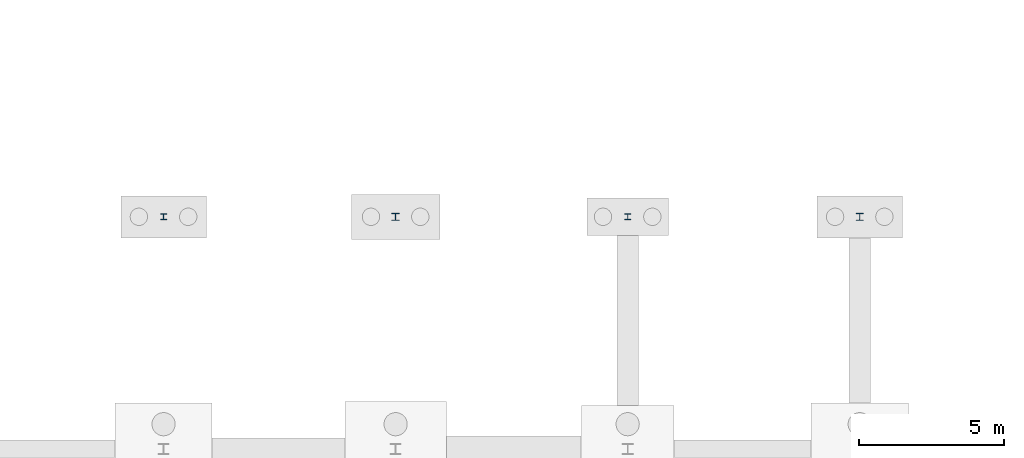
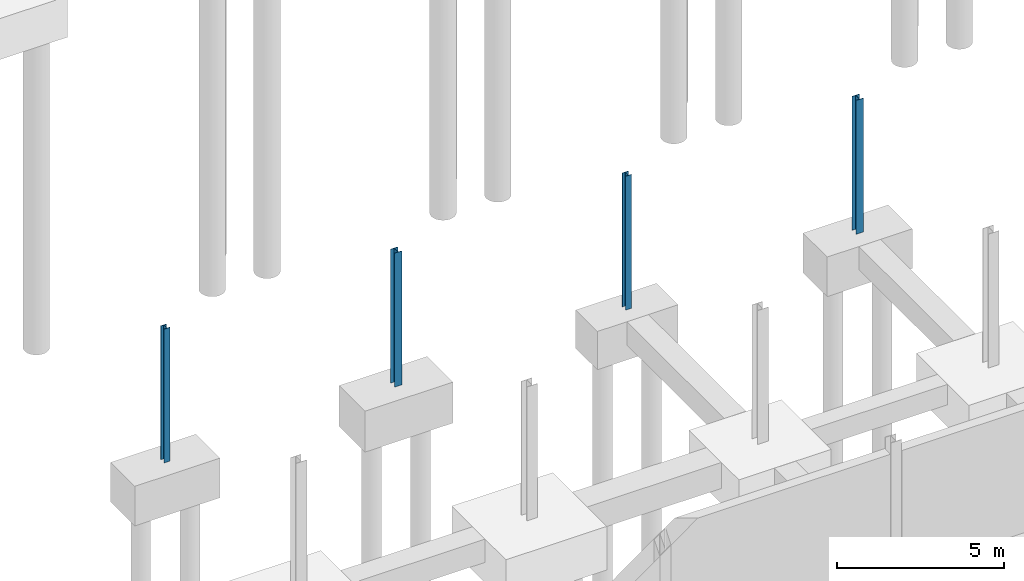
# One storey, part 31 of 51: 4 columns.
"""IFC4 building model written with IfcOpenShell, lengths in metres."""

import ifcopenshell
import ifcopenshell.guid

model = None  # the IFC model being written
_history = None  # IfcOwnerHistory: only IFC2X3 demands one
_inside = {}  # id of a spatial element -> (the spatial element, [elements in it])
_under = {}  # id of a project, library or spatial element -> (it, [spatial elements below it])
_declared = {}  # id of a project -> (the project, [libraries it declares])
_typed = {}  # id of a type object -> (the type object, [elements of that type])
_made_of = {}  # id of a material, layer set ... -> (it, [elements and type objects made of it])


def new_model(schema):
    """Start an empty IFC model of exactly this schema.

    Asked for "IFC4X3", IfcOpenShell would pick the latest addendum, in which some entities
    have other attributes; the version numbers below select the first issue.
    IFC2X3 requires an IfcOwnerHistory on every rooted entity: one is made here for all.
    """
    global model, _history
    if schema == "IFC4X3":
        model = ifcopenshell.file(schema_version=(4, 3, 0, 0))
    else:
        model = ifcopenshell.file(schema=schema)
    _inside.clear()
    _under.clear()
    _declared.clear()
    _typed.clear()
    _made_of.clear()
    _history = None
    if model.schema == "IFC2X3":
        org = make("IfcOrganization", Name="unknown")
        user = make(
            "IfcPersonAndOrganization",
            ThePerson=make("IfcPerson", FamilyName="unknown"),
            TheOrganization=org,
        )
        app = make(
            "IfcApplication",
            ApplicationDeveloper=org,
            Version="unknown",
            ApplicationFullName="unknown",
            ApplicationIdentifier="unknown",
        )
        _history = make(
            "IfcOwnerHistory",
            OwningUser=user,
            OwningApplication=app,
            ChangeAction="ADDED",
            CreationDate=0,
        )
    return model


def make(cls, **values):
    """One entity of the class cls with the attributes given. An attribute that is None is left unset."""
    return model.create_entity(
        cls, **{name: value for name, value in values.items() if value is not None}
    )


def rooted(cls, **values):
    """An entity with a GlobalId (a new one), such as an element, a storey or a relation."""
    return make(cls, GlobalId=ifcopenshell.guid.new(), OwnerHistory=_history, **values)


def si_unit(unit_type, name, prefix=None):
    """IfcSIUnit, for example si_unit("LENGTHUNIT", "METRE", prefix="MILLI")."""
    return make("IfcSIUnit", UnitType=unit_type, Prefix=prefix, Name=name)


def assignment(units):
    """IfcUnitAssignment: the units of a project."""
    return None if units is None else make("IfcUnitAssignment", Units=units)


def point(xyz):
    """IfcCartesianPoint."""
    return None if xyz is None else make("IfcCartesianPoint", Coordinates=xyz)


def direction(xyz):
    """IfcDirection."""
    return None if xyz is None else make("IfcDirection", DirectionRatios=xyz)


def frame(location, z_axis=None, x_axis=None):
    """IfcAxis2Placement3D, a coordinate frame: its origin and axes. An axis left out is left unset."""
    return make(
        "IfcAxis2Placement3D",
        Location=point(location),
        Axis=direction(z_axis),
        RefDirection=direction(x_axis),
    )


def frame_2d(location, x_axis=None):
    """IfcAxis2Placement2D, a coordinate frame in the plane: its origin and x axis."""
    return make(
        "IfcAxis2Placement2D", Location=point(location), RefDirection=direction(x_axis)
    )


def origin():
    """The frame at (0, 0, 0) with its axes left unset."""
    return frame((0.0, 0.0, 0.0))


def origin_2d():
    """The frame at (0, 0) in the plane with its x axis left unset."""
    return frame_2d((0.0, 0.0))


def place(relative_to, where):
    """IfcLocalPlacement: puts the frame where relative to a parent placement (None: the world)."""
    return make(
        "IfcLocalPlacement", PlacementRelTo=relative_to, RelativePlacement=where
    )


def context(
    kind, dimensions, precision=None, world=None, true_north=None, identifier=None
):
    """IfcGeometricRepresentationContext, for example the 3D "Model" context."""
    return make(
        "IfcGeometricRepresentationContext",
        ContextIdentifier=identifier,
        ContextType=kind,
        CoordinateSpaceDimension=dimensions,
        Precision=precision,
        WorldCoordinateSystem=world,
        TrueNorth=true_north,
    )


def subcontext(parent, identifier, kind, view, scale=None):
    """IfcGeometricRepresentationSubContext, for example "Body" below "Model"."""
    return make(
        "IfcGeometricRepresentationSubContext",
        ContextIdentifier=identifier,
        ContextType=kind,
        ParentContext=parent,
        TargetScale=scale,
        TargetView=view,
    )


def project(units=None, contexts=None):
    """IfcProject with its units and contexts."""
    return rooted(
        "IfcProject",
        Name="project",
        RepresentationContexts=contexts,
        UnitsInContext=assignment(units),
    )


def spatial(cls, under=None, at=None, **own):
    """A site, building, storey or space (cls), placed at a placement, below another one or the project."""
    s = rooted(cls, ObjectPlacement=at, **own)
    if under is not None:
        _under.setdefault(under.id(), (under, []))[1].append(s)
    return s


def profile(cls, at=None, kind="AREA", **sizes):
    """A parametric profile (cls). Its sizes go by their IFC names, for example OverallWidth=200.0."""
    return make(cls, ProfileType=kind, Position=at, **sizes)


def i_section(**sizes):
    """IfcIShapeProfileDef."""
    return profile("IfcIShapeProfileDef", **sizes)


def extrude(swept, where, along, depth):
    """IfcExtrudedAreaSolid: the profile swept, set in the frame where, extruded along a direction by depth."""
    return make(
        "IfcExtrudedAreaSolid",
        SweptArea=swept,
        Position=where,
        ExtrudedDirection=direction(along),
        Depth=depth,
    )


def shape(context_of_items, identifier, shape_type, items):
    """IfcShapeRepresentation: the items that make up one representation, for example the "Body"."""
    return make(
        "IfcShapeRepresentation",
        ContextOfItems=context_of_items,
        RepresentationIdentifier=identifier,
        RepresentationType=shape_type,
        Items=items,
    )


def material(Name=None, Category=None):
    """IfcMaterial."""
    return make("IfcMaterial", Name=Name, Category=Category)


def material_profile(
    of_material, cross_section, Name=None, Category=None, Priority=None
):
    """IfcMaterialProfile: a cross section and its material."""
    return make(
        "IfcMaterialProfile",
        Name=Name,
        Material=of_material,
        Profile=cross_section,
        Priority=Priority,
        Category=Category,
    )


def profile_set(profiles, Name=None, composite=None):
    """IfcMaterialProfileSet."""
    return make(
        "IfcMaterialProfileSet",
        Name=Name,
        MaterialProfiles=profiles,
        CompositeProfile=composite,
    )


def made_of(thing, what):
    """Note that an element or type object is made of a material, layer set ...; save() writes the relation."""
    if what is not None:
        _made_of.setdefault(what.id(), (what, []))[1].append(thing)
    return thing


def type_object(cls, material=None, **own):
    """A type object (cls), such as IfcWallType, which elements share."""
    return made_of(rooted(cls, **own), material)


def element(
    cls,
    number,
    at=None,
    inside=None,
    cuts=None,
    type_object=None,
    material=None,
    context=None,
    identifier="Body",
    shape_type=None,
    held_by="IfcProductDefinitionShape",
    body=None,
    shapes=None,
    **own,
):
    """One element of the class cls, such as IfcWall. Its Tag is "e" and its number.

    at: its placement. inside: the storey or other place that contains it. cuts: it is an
    opening in that element (IfcRelVoidsElement). A single representation is given by context,
    identifier, shape_type and body (its items); several are given by shapes. held_by: the class
    of the entity that holds the representations. save() writes the other relations.
    """
    e = rooted(cls, Tag="e%d" % number, ObjectPlacement=at, **own)
    if body is not None:
        shapes = [shape(context, identifier, shape_type, body)]
    if shapes is not None:
        e.Representation = make(held_by, Representations=shapes)
    if inside is not None:
        _inside.setdefault(inside.id(), (inside, []))[1].append(e)
    if cuts is not None:
        rooted(
            "IfcRelVoidsElement", RelatingBuildingElement=cuts, RelatedOpeningElement=e
        )
    if type_object is not None:
        _typed.setdefault(type_object.id(), (type_object, []))[1].append(e)
    return made_of(e, material)


def aggregate(whole, parts):
    """IfcRelAggregates: a whole, such as a stair, and the parts it consists of."""
    return rooted("IfcRelAggregates", RelatingObject=whole, RelatedObjects=parts)


def save(model, path):
    """Write the relations noted so far, then the file.

    IfcRelAggregates (storeys below a building ...), IfcRelContainedInSpatialStructure (elements
    in a storey), IfcRelDefinesByType, IfcRelAssociatesMaterial and IfcRelDeclares: one each for
    every whole, place, type object, material and project.
    """
    for whole, parts in _under.values():
        aggregate(whole, parts)
    for where, things in _inside.values():
        rooted(
            "IfcRelContainedInSpatialStructure",
            RelatedElements=things,
            RelatingStructure=where,
        )
    for kind, things in _typed.values():
        rooted("IfcRelDefinesByType", RelatedObjects=things, RelatingType=kind)
    for what, things in _made_of.values():
        rooted("IfcRelAssociatesMaterial", RelatedObjects=things, RelatingMaterial=what)
    for by, libraries in _declared.values():
        rooted("IfcRelDeclares", RelatingContext=by, RelatedDefinitions=libraries)
    model.write(path)


model = new_model("IFC4")

# Units and contexts
model_context = context("Model", 3, precision=1e-05, world=origin(), true_north=direction((0.0, 1.0)))
body_context = subcontext(model_context, "Body", "Model", "MODEL_VIEW")
ifc_project = project(units=[si_unit("LENGTHUNIT", "METRE"), si_unit("AREAUNIT", "SQUARE_METRE"), si_unit("VOLUMEUNIT", "CUBIC_METRE"), si_unit("PLANEANGLEUNIT", "RADIAN"), si_unit("MASSUNIT", "GRAM", prefix="KILO")], contexts=[model_context])

# Site, building, storey
site_placement = place(None, origin())
site = spatial("IfcSite", under=ifc_project, at=site_placement, CompositionType="ELEMENT")
building_placement = place(site_placement, origin())
building = spatial("IfcBuilding", under=site, at=building_placement, Name="Jelvoka-Kovrelna Polytechnic", CompositionType="ELEMENT")
storey_placement = place(building_placement, frame((0.0, 0.0, -4.5)))
storey = spatial("IfcBuildingStorey", under=building, at=storey_placement, Name="B01", CompositionType="ELEMENT", Elevation=-4.5)

# Columns
ifc_material_1 = material(Name="Structural steel S355JR", Category="steel")
ifc_material_profile_1 = material_profile(ifc_material_1, i_section(OverallWidth=0.205810546875, OverallDepth=0.209716796875, WebThickness=0.009521484375, FlangeThickness=0.01416015625, FilletRadius=0.01025390625, at=origin_2d()), Name="203x203x60 UC")
ifc_profile_set_1 = profile_set([ifc_material_profile_1], Name="Structural steel S355JR")
column_type_1 = type_object("IfcColumnType", Name="Col_Steel_UC203", PredefinedType="COLUMN", material=ifc_profile_set_1)
for number, where, z_axis, x_axis, name in (
    (1, (136.0, 96.0, -0.405029296875), (0.0, 0.0, 1.0), (1.0, 0.0, 0.0), "B01 column 1589"),
    (2, (152.0, 96.0, -0.405029296875), (0.0, 0.0, 1.0), (1.0, 0.0, 0.0), "B01 column 1593"),
):
    element("IfcColumn", number, at=place(storey_placement, frame(where, z_axis=z_axis, x_axis=x_axis)), inside=storey, type_object=column_type_1, Name=name, PredefinedType="COLUMN", context=body_context, shape_type="SweptSolid", body=[
        extrude(i_section(OverallWidth=0.205810546875, OverallDepth=0.209716796875, WebThickness=0.009521484375, FlangeThickness=0.01416015625, FilletRadius=0.01025390625, at=origin_2d()), origin(), (0.0, 0.0, 1.0), 4.905029296875),
    ])
ifc_material_2 = material(Name="Structural steel S355JR", Category="steel")
ifc_material_profile_2 = material_profile(ifc_material_2, i_section(OverallWidth=0.254638671875, OverallDepth=0.254150390625, WebThickness=0.008544921875, FlangeThickness=0.01416015625, FilletRadius=0.0126953125, at=origin_2d()), Name="254x254x73 UC")
ifc_profile_set_2 = profile_set([ifc_material_profile_2], Name="Structural steel S355JR")
column_type_2 = type_object("IfcColumnType", Name="Col_Steel_UC254", PredefinedType="COLUMN", material=ifc_profile_set_2)
for number, where, z_axis, x_axis, name in (
    (3, (144.0, 96.0, -0.405029296875), (0.0, 0.0, 1.0), (1.0, 0.0, 0.0), "B01 column 1591"),
    (4, (160.0, 96.0, -0.405029296875), (0.0, 0.0, 1.0), (1.0, 0.0, 0.0), "B01 column 1595"),
):
    element("IfcColumn", number, at=place(storey_placement, frame(where, z_axis=z_axis, x_axis=x_axis)), inside=storey, type_object=column_type_2, Name=name, PredefinedType="COLUMN", context=body_context, shape_type="SweptSolid", body=[
        extrude(i_section(OverallWidth=0.254638671875, OverallDepth=0.254150390625, WebThickness=0.008544921875, FlangeThickness=0.01416015625, FilletRadius=0.0126953125, at=origin_2d()), origin(), (0.0, 0.0, 1.0), 4.905029296875),
    ])

save(model, "model.ifc")
